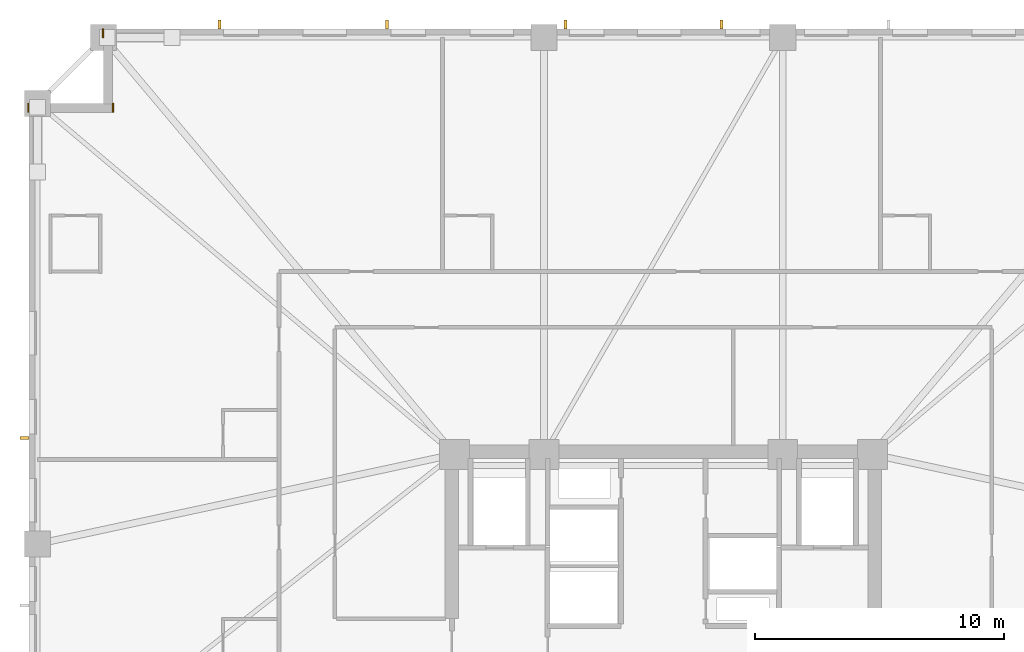
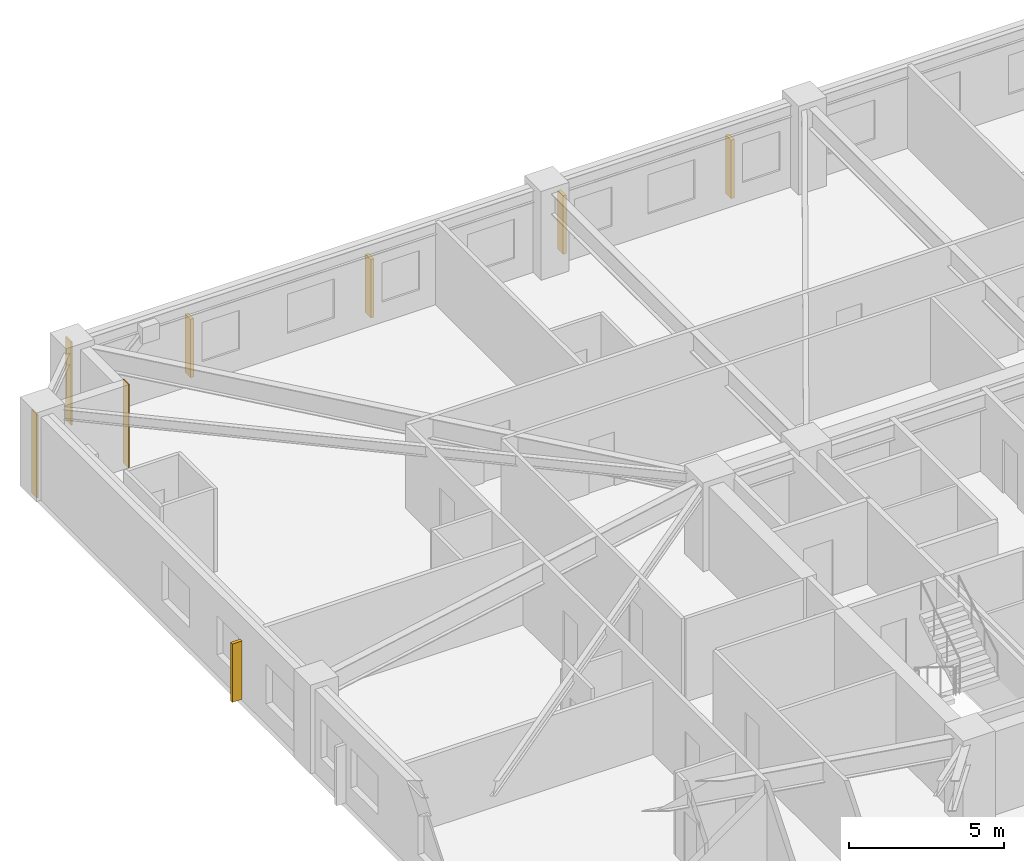
# One storey, part 11 of 12: 5 shading devices, 3 coverings.
"""IFC4 building model written with IfcOpenShell, lengths in metres."""

from ifc_helpers import new_model, si_unit, direction, frame, frame_2d, origin, origin_2d, place, context, subcontext, project, spatial, rectangle, extrude, material, layer, layer_set, type_object, element, save


model = new_model("IFC4")

# Units and contexts
model_context = context("Model", 3, precision=1e-05, world=origin(), true_north=direction((0.0, 1.0)))
body_context = subcontext(model_context, "Body", "Model", "MODEL_VIEW")
ifc_project = project(units=[si_unit("LENGTHUNIT", "METRE"), si_unit("AREAUNIT", "SQUARE_METRE"), si_unit("VOLUMEUNIT", "CUBIC_METRE"), si_unit("PLANEANGLEUNIT", "RADIAN"), si_unit("MASSUNIT", "GRAM", prefix="KILO")], contexts=[model_context])

# Site, building, storey
site_placement = place(None, origin())
site = spatial("IfcSite", under=ifc_project, at=site_placement, CompositionType="ELEMENT")
building_placement = place(site_placement, origin())
building = spatial("IfcBuilding", under=site, at=building_placement, Name="Cairnveth Concourse Tower", CompositionType="ELEMENT")
storey_placement = place(building_placement, frame((0.0, 0.0, 83.0)))
storey = spatial("IfcBuildingStorey", under=building, at=storey_placement, Name="L22", CompositionType="ELEMENT", Elevation=83.0)

# Coverings
ifc_material_1 = material(Name="Dressed Melbourne Bluestone Cladding", Category="masonry")
ifc_layer = layer(ifc_material_1, 0.050048828125)
ifc_layer_set = layer_set([ifc_layer], Name="Dressed Melbourne Bluestone Cladding")
covering_type = type_object("IfcCoveringType", Name="DRESSED BLUESTONE PLINTH CLADDING 50", PredefinedType="CLADDING", material=ifc_layer_set)
for number, where, z_axis, x_axis, name in (
    (1, (26.47998046875, 61.139892578125, 0.0), (0.0, 0.0, 1.0), (0.0, 1.0, 0.0), "Melbourne Bluestone Corner Quoin L22-302"),
    (2, (29.8798828125, 61.139892578125, 0.0), (0.0, 0.0, 1.0), (0.0, 1.0, 0.0), "Melbourne Bluestone Corner Quoin L22-303"),
    (3, (29.47998046875, 64.139892578125, 0.0), (0.0, 0.0, 1.0), (0.0, 1.0, 0.0), "Melbourne Bluestone Corner Quoin L22-304"),
):
    element("IfcCovering", number, at=place(storey_placement, frame(where, z_axis=z_axis, x_axis=x_axis)), inside=storey, type_object=covering_type, Name=name, PredefinedType="CLADDING", context=body_context, shape_type="SweptSolid", body=[
        extrude(rectangle(XDim=0.360107421875, YDim=0.050048828125, at=frame_2d((0.18017578125, 0.0))), origin(), (0.0, 0.0, 1.0), 3.280029296875),
    ])

# Shading devices
ifc_material_2 = material(Name="Architectural Bronze Anodised Aluminium 6063-T6", Category="aluminium")
shading_device_type = type_object("IfcShadingDeviceType", Name="GOTHIC BRONZE VERTICAL LANCET FIN", PredefinedType="USERDEFINED", material=ifc_material_2)
for number, where, z_axis, x_axis, name in (
    (4, (26.324951171875, 48.051513671875, 0.02978515625), (0.0, 0.0, 1.0), (0.0, 1.0, 0.0), "Gothic Bronze Vertical Fin L22-6-9"),
    (5, (34.170166015625, 64.675048828125, 0.02978515625), (0.0, 0.0, 1.0), (1.0, 0.0, 0.0), "Gothic Bronze Vertical Fin L22-9-1"),
    (6, (40.890380859375, 64.675048828125, 0.02978515625), (0.0, 0.0, 1.0), (1.0, 0.0, 0.0), "Gothic Bronze Vertical Fin L22-9-3"),
    (7, (48.060791015625, 64.675048828125, 0.02978515625), (0.0, 0.0, 1.0), (1.0, 0.0, 0.0), "Gothic Bronze Vertical Fin L22-9-5"),
    (8, (54.331298828125, 64.675048828125, 0.02978515625), (0.0, 0.0, 1.0), (1.0, 0.0, 0.0), "Gothic Bronze Vertical Fin L22-9-7"),
):
    element("IfcShadingDevice", number, at=place(storey_placement, frame(where, z_axis=z_axis, x_axis=x_axis)), inside=storey, type_object=shading_device_type, Name=name, ObjectType="VERTICAL FIN", PredefinedType="USERDEFINED", context=body_context, shape_type="SweptSolid", body=[
        extrude(rectangle(XDim=0.1201171875, YDim=0.360107421875, at=origin_2d()), origin(), (0.0, 0.0, 1.0), 2.303955078125),
    ])

save(model, "model.ifc")
